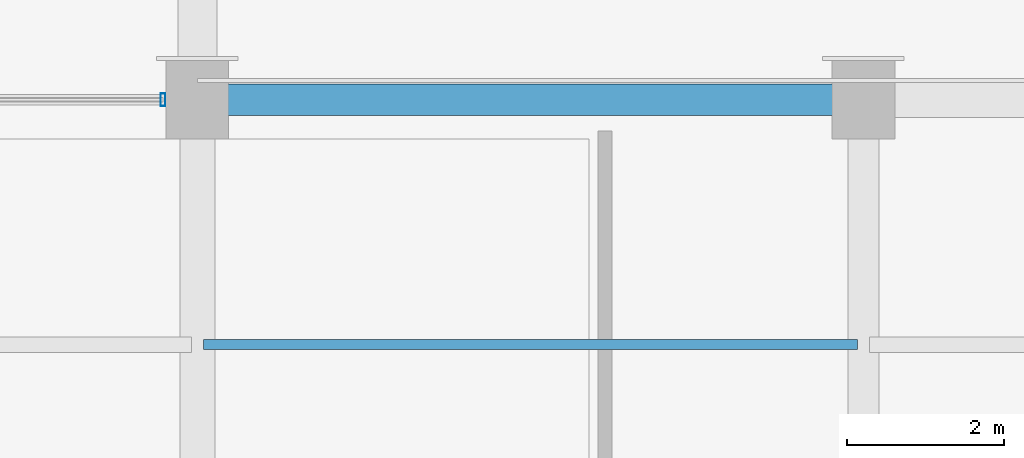
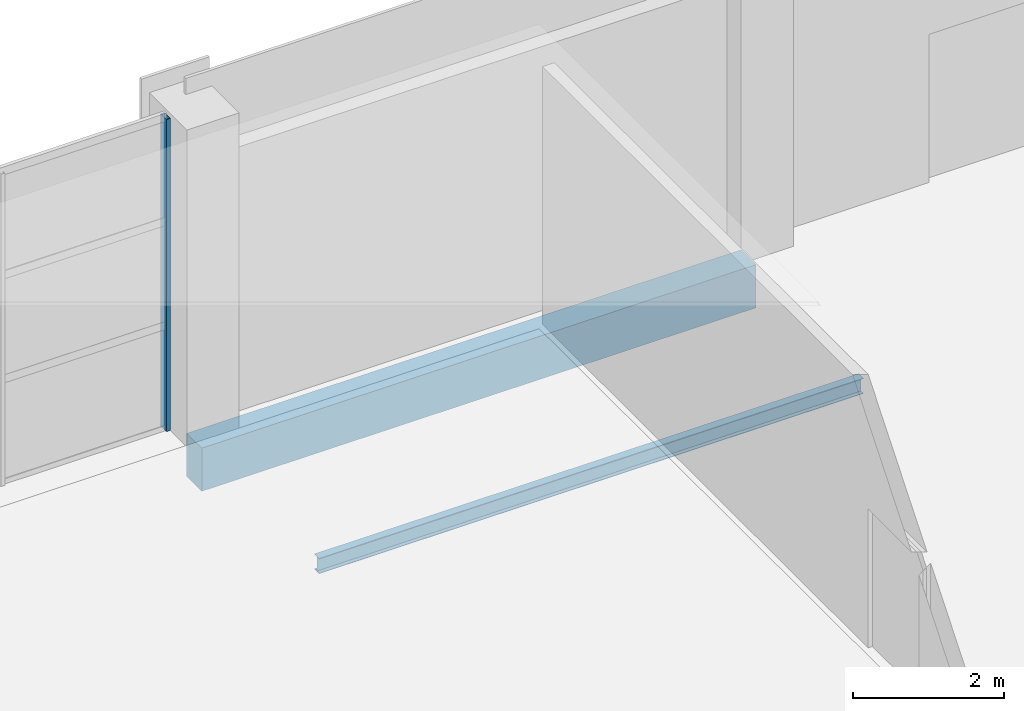
# One storey, part 27 of 90: 2 beams, 1 member, 1 element without a shape of its own.
"""IFC4 building model written with IfcOpenShell, lengths in metres."""

from ifc_helpers import new_model, si_unit, direction, frame, origin, origin_2d, place, context, subcontext, project, spatial, rectangle, hollow_rectangle, i_section, extrude, material, material_profile, profile_set, type_object, element, aggregate, save


model = new_model("IFC4")

# Units and contexts
model_context = context("Model", 3, precision=1e-05, world=origin(), true_north=direction((0.0, 1.0)))
body_context = subcontext(model_context, "Body", "Model", "MODEL_VIEW")
ifc_project = project(units=[si_unit("LENGTHUNIT", "METRE"), si_unit("AREAUNIT", "SQUARE_METRE"), si_unit("VOLUMEUNIT", "CUBIC_METRE"), si_unit("PLANEANGLEUNIT", "RADIAN"), si_unit("MASSUNIT", "GRAM", prefix="KILO")], contexts=[model_context])

# Site, building, storey
site_placement = place(None, origin())
site = spatial("IfcSite", under=ifc_project, at=site_placement, CompositionType="ELEMENT")
building_placement = place(site_placement, origin())
building = spatial("IfcBuilding", under=site, at=building_placement, Name="Solvikara Media Centre", CompositionType="ELEMENT")
storey_placement = place(building_placement, origin())
storey = spatial("IfcBuildingStorey", under=building, at=storey_placement, Name="L00", CompositionType="ELEMENT", Elevation=0.0)

# Beams
ifc_material_1 = material(Name="Concrete fc' 35 MPa (C35/45)", Category="concrete")
ifc_material_profile_1 = material_profile(ifc_material_1, rectangle(XDim=0.39990234375, YDim=0.699951171875, at=origin_2d()), Name="RC 400x700")
ifc_profile_set_1 = profile_set([ifc_material_profile_1], Name="Concrete fc' 35 MPa (C35/45)")
beam_type_1 = type_object("IfcBeamType", Name="BM-13", PredefinedType="SPANDREL", material=ifc_profile_set_1)
beam_1_placement = place(storey_placement, frame((17.0, 114.0, -0.68994140625), z_axis=(1.0, 0.0, 0.0), x_axis=(0.0, 1.0, 0.0)))
element("IfcBeam", 1, at=beam_1_placement, inside=storey, type_object=beam_type_1, Name="B-L00-X0105", PredefinedType="SPANDREL", context=body_context, shape_type="SweptSolid", body=[
    extrude(rectangle(XDim=0.39990234375, YDim=0.699951171875, at=origin_2d()), origin(), (0.0, 0.0, 1.0), 8.5),
])
ifc_material_2 = material(Name="Steel S355JR", Category="steel")
ifc_material_profile_2 = material_profile(ifc_material_2, i_section(OverallWidth=0.125, OverallDepth=0.25, WebThickness=0.006103515625, FlangeThickness=0.009033203125, at=origin_2d()), Name="WF 250x125x6x9")
ifc_profile_set_2 = profile_set([ifc_material_profile_2], Name="Steel S355JR")
beam_type_2 = type_object("IfcBeamType", Name="BM-24", PredefinedType="JOIST", material=ifc_profile_set_2)
beam_2_placement = place(storey_placement, frame((17.077880859375, 110.875, -0.467041015625), z_axis=(1.0, 0.0, 0.0), x_axis=(0.0, 1.0, 0.0)))
element("IfcBeam", 2, at=beam_2_placement, inside=storey, type_object=beam_type_2, Name="J-L00-0308", PredefinedType="JOIST", context=body_context, shape_type="SweptSolid", body=[
    extrude(i_section(OverallWidth=0.125, OverallDepth=0.25, WebThickness=0.006103515625, FlangeThickness=0.009033203125, at=origin_2d()), origin(), (0.0, 0.0, 1.0), 8.34423828125),
])

# Curtain wall, member
ifc_material_3 = material(Name="Anodised aluminium EN AW-6063", Category="aluminium")
curtain_wall_type = type_object("IfcCurtainWallType", Name="CW-06", PredefinedType="NOTDEFINED", material=ifc_material_3)
curtain_wall_placement = place(storey_placement, origin())
curtain_wall = element("IfcCurtainWall", 3, at=curtain_wall_placement, inside=storey, type_object=curtain_wall_type, Name="CW-L00-V3N-1-S2", PredefinedType="NOTDEFINED")
ifc_material_profile_3 = material_profile(ifc_material_3, hollow_rectangle(XDim=0.06005859375, YDim=0.159912109375, WallThickness=0.00341796875, at=origin_2d()), Name="ALU-M 60x160x3.5")
ifc_profile_set_3 = profile_set([ifc_material_profile_3], Name="Anodised aluminium EN AW-6063")
member_type = type_object("IfcMemberType", Name="MF-04", PredefinedType="MULLION", material=ifc_profile_set_3)
member_placement = place(storey_placement, frame((16.56005859375, 114.0, 0.02001953125), z_axis=(0.0, 0.0, 1.0), x_axis=(1.0, 0.0, 0.0)))
member = element("IfcMember", 4, at=member_placement, type_object=member_type, Name="CW-L00-V3N-1-S2-M03", PredefinedType="MULLION", context=body_context, shape_type="SweptSolid", body=[
    extrude(hollow_rectangle(XDim=0.06005859375, YDim=0.159912109375, WallThickness=0.00341796875, at=origin_2d()), origin(), (0.0, 0.0, 1.0), 5.06005859375),
])
aggregate(curtain_wall, [member])

save(model, "model.ifc")
